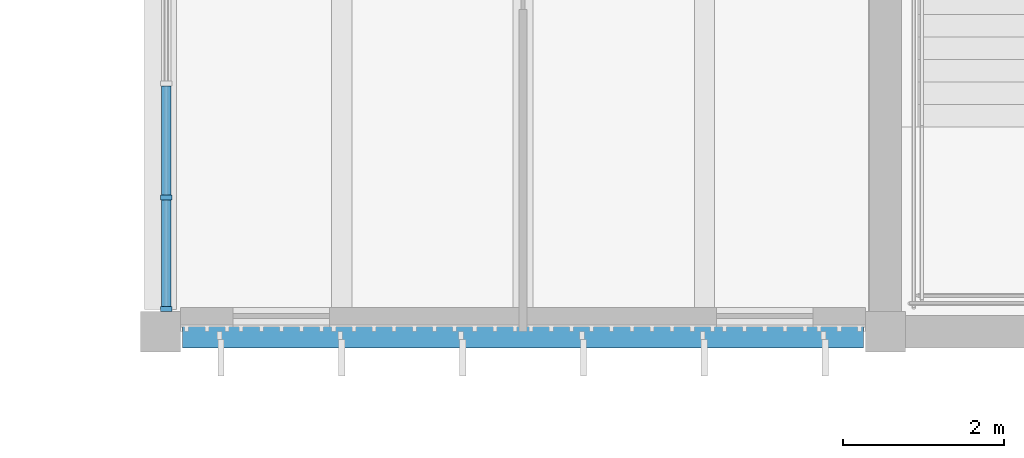
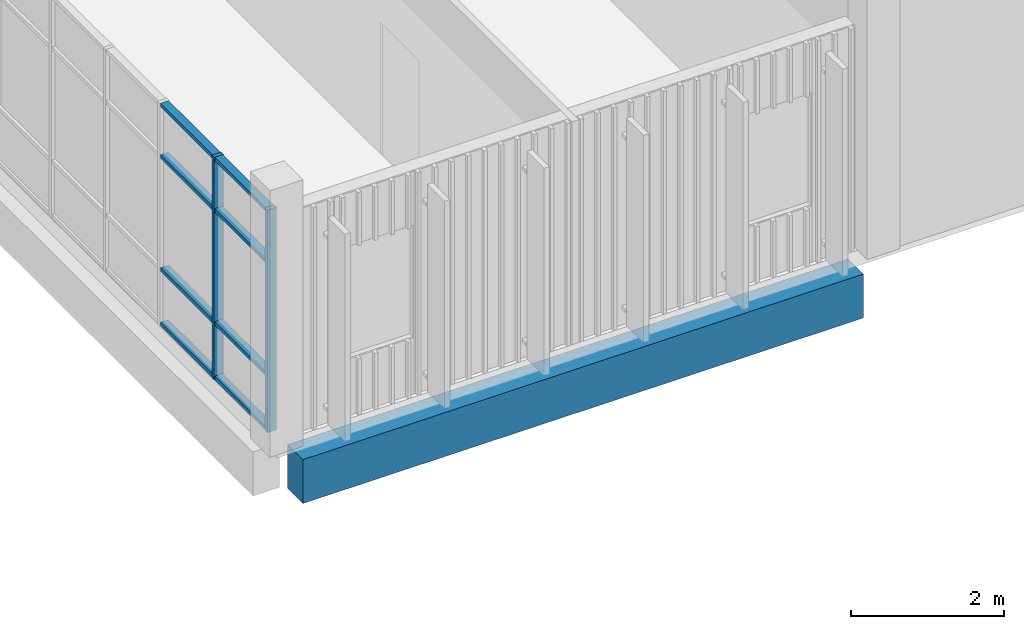
# One storey, part 9 of 92: 10 members, 1 beam, 1 element without a shape of its own.
"""IFC4 building model written with IfcOpenShell, lengths in metres."""

from ifc_helpers import new_model, si_unit, direction, frame, origin, origin_2d, place, context, subcontext, project, spatial, rectangle, extrude, material, material_profile, profile_set, type_object, element, aggregate, save


model = new_model("IFC4")

# Units and contexts
model_context = context("Model", 3, precision=1e-05, world=origin(), true_north=direction((0.0, 1.0)))
body_context = subcontext(model_context, "Body", "Model", "MODEL_VIEW")
ifc_project = project(units=[si_unit("LENGTHUNIT", "METRE"), si_unit("AREAUNIT", "SQUARE_METRE"), si_unit("VOLUMEUNIT", "CUBIC_METRE"), si_unit("PLANEANGLEUNIT", "RADIAN"), si_unit("MASSUNIT", "GRAM", prefix="KILO")], contexts=[model_context])

# Site, building, storey
site_placement = place(None, origin())
site = spatial("IfcSite", under=ifc_project, at=site_placement, CompositionType="ELEMENT")
building_placement = place(site_placement, origin())
building = spatial("IfcBuilding", under=site, at=building_placement, Name="Merrow Basin Faculty of Sciences", CompositionType="ELEMENT")
storey_placement = place(building_placement, frame((0.0, 0.0, 4.5)))
storey = spatial("IfcBuildingStorey", under=building, at=storey_placement, Name="L01", CompositionType="ELEMENT", Elevation=4.5)

# Curtain wall, members
ifc_material_1 = material(Name="Aluminium alloy 6063", Category="aluminium")
curtain_wall_type = type_object("IfcCurtainWallType", Name="Court curtain wall 140", PredefinedType="NOTDEFINED", material=ifc_material_1)
curtain_wall_placement = place(storey_placement, origin())
curtain_wall = element("IfcCurtainWall", 1, at=curtain_wall_placement, inside=storey, type_object=curtain_wall_type, Name="Court curtain wall L01 1", PredefinedType="NOTDEFINED")
ifc_material_2 = material(Name="Aluminium alloy 6063", Category="aluminium")
ifc_material_profile_1 = material_profile(ifc_material_2, rectangle(XDim=0.139892578125, YDim=0.06005859375, at=origin_2d()))
ifc_profile_set_1 = profile_set([ifc_material_profile_1], Name="Aluminium alloy 6063")
member_type_1 = type_object("IfcMemberType", Name="Aluminium mullion 60x140", PredefinedType="MULLION", material=ifc_profile_set_1)
member_1_placement = place(storey_placement, frame((54.070068359375, 61.280029296875, 0.0), z_axis=(0.0, 0.0, 1.0), x_axis=(-1.0, 0.0, 0.0)))
member_1 = element("IfcMember", 2, at=member_1_placement, type_object=member_type_1, Name="CW8 mullion 1", PredefinedType="MULLION", context=body_context, shape_type="SweptSolid", body=[
    extrude(rectangle(XDim=0.139892578125, YDim=0.06005859375, at=origin_2d()), origin(), (0.0, 0.0, 1.0), 3.550048828125),
])
member_2_placement = place(storey_placement, frame((54.070068359375, 62.666748046875, 0.0), z_axis=(0.0, 0.0, 1.0), x_axis=(-1.0, 0.0, 0.0)))
member_2 = element("IfcMember", 3, at=member_2_placement, type_object=member_type_1, Name="CW8 mullion 2", PredefinedType="MULLION", context=body_context, shape_type="SweptSolid", body=[
    extrude(rectangle(XDim=0.139892578125, YDim=0.06005859375, at=origin_2d()), origin(), (0.0, 0.0, 1.0), 3.550048828125),
])
ifc_material_3 = material(Name="Aluminium alloy 6063", Category="aluminium")
ifc_material_profile_2 = material_profile(ifc_material_3, rectangle(XDim=0.1201171875, YDim=0.06005859375, at=origin_2d()))
ifc_profile_set_2 = profile_set([ifc_material_profile_2], Name="Aluminium alloy 6063")
member_type_2 = type_object("IfcMemberType", Name="Aluminium transom 60x120", PredefinedType="USERDEFINED", material=ifc_profile_set_2)
member_3_placement = place(storey_placement, frame((54.070068359375, 61.31005859375, 0.030029296875), z_axis=(0.0, 1.0, 0.0), x_axis=(-1.0, 0.0, 0.0)))
member_3 = element("IfcMember", 4, at=member_3_placement, type_object=member_type_2, Name="CW8 transom 1.1", ObjectType="TRANSOM", PredefinedType="USERDEFINED", context=body_context, shape_type="SweptSolid", body=[
    extrude(rectangle(XDim=0.1201171875, YDim=0.06005859375, at=origin_2d()), origin(), (0.0, 0.0, 1.0), 1.32666015625),
])
member_4_placement = place(storey_placement, frame((54.070068359375, 61.31005859375, 0.89990234375), z_axis=(0.0, 1.0, 0.0), x_axis=(-1.0, 0.0, 0.0)))
member_4 = element("IfcMember", 5, at=member_4_placement, type_object=member_type_2, Name="CW8 transom 1.2", ObjectType="TRANSOM", PredefinedType="USERDEFINED", context=body_context, shape_type="SweptSolid", body=[
    extrude(rectangle(XDim=0.1201171875, YDim=0.06005859375, at=origin_2d()), origin(), (0.0, 0.0, 1.0), 1.32666015625),
])
member_5_placement = place(storey_placement, frame((54.070068359375, 61.31005859375, 2.699951171875), z_axis=(0.0, 1.0, 0.0), x_axis=(-1.0, 0.0, 0.0)))
member_5 = element("IfcMember", 6, at=member_5_placement, type_object=member_type_2, Name="CW8 transom 1.3", ObjectType="TRANSOM", PredefinedType="USERDEFINED", context=body_context, shape_type="SweptSolid", body=[
    extrude(rectangle(XDim=0.1201171875, YDim=0.06005859375, at=origin_2d()), origin(), (0.0, 0.0, 1.0), 1.32666015625),
])
member_6_placement = place(storey_placement, frame((54.070068359375, 61.31005859375, 3.52001953125), z_axis=(0.0, 1.0, 0.0), x_axis=(-1.0, 0.0, 0.0)))
member_6 = element("IfcMember", 7, at=member_6_placement, type_object=member_type_2, Name="CW8 transom 1.4", ObjectType="TRANSOM", PredefinedType="USERDEFINED", context=body_context, shape_type="SweptSolid", body=[
    extrude(rectangle(XDim=0.1201171875, YDim=0.06005859375, at=origin_2d()), origin(), (0.0, 0.0, 1.0), 1.32666015625),
])
member_7_placement = place(storey_placement, frame((54.070068359375, 62.69677734375, 0.030029296875), z_axis=(0.0, 1.0, 0.0), x_axis=(-1.0, 0.0, 0.0)))
member_7 = element("IfcMember", 8, at=member_7_placement, type_object=member_type_2, Name="CW8 transom 2.1", ObjectType="TRANSOM", PredefinedType="USERDEFINED", context=body_context, shape_type="SweptSolid", body=[
    extrude(rectangle(XDim=0.1201171875, YDim=0.06005859375, at=origin_2d()), origin(), (0.0, 0.0, 1.0), 1.3564453125),
])
member_8_placement = place(storey_placement, frame((54.070068359375, 62.69677734375, 0.89990234375), z_axis=(0.0, 1.0, 0.0), x_axis=(-1.0, 0.0, 0.0)))
member_8 = element("IfcMember", 9, at=member_8_placement, type_object=member_type_2, Name="CW8 transom 2.2", ObjectType="TRANSOM", PredefinedType="USERDEFINED", context=body_context, shape_type="SweptSolid", body=[
    extrude(rectangle(XDim=0.1201171875, YDim=0.06005859375, at=origin_2d()), origin(), (0.0, 0.0, 1.0), 1.3564453125),
])
member_9_placement = place(storey_placement, frame((54.070068359375, 62.69677734375, 2.699951171875), z_axis=(0.0, 1.0, 0.0), x_axis=(-1.0, 0.0, 0.0)))
member_9 = element("IfcMember", 10, at=member_9_placement, type_object=member_type_2, Name="CW8 transom 2.3", ObjectType="TRANSOM", PredefinedType="USERDEFINED", context=body_context, shape_type="SweptSolid", body=[
    extrude(rectangle(XDim=0.1201171875, YDim=0.06005859375, at=origin_2d()), origin(), (0.0, 0.0, 1.0), 1.3564453125),
])
member_10_placement = place(storey_placement, frame((54.070068359375, 62.69677734375, 3.52001953125), z_axis=(0.0, 1.0, 0.0), x_axis=(-1.0, 0.0, 0.0)))
member_10 = element("IfcMember", 11, at=member_10_placement, type_object=member_type_2, Name="CW8 transom 2.4", ObjectType="TRANSOM", PredefinedType="USERDEFINED", context=body_context, shape_type="SweptSolid", body=[
    extrude(rectangle(XDim=0.1201171875, YDim=0.06005859375, at=origin_2d()), origin(), (0.0, 0.0, 1.0), 1.3564453125),
])
aggregate(curtain_wall, [member_1, member_2, member_3, member_4, member_5, member_6, member_7, member_8, member_9, member_10])

# Beam
ifc_material_4 = material(Name="Concrete C40/50", Category="concrete")
ifc_material_profile_3 = material_profile(ifc_material_4, rectangle(XDim=0.39990234375, YDim=0.699951171875, at=origin_2d()))
ifc_profile_set_3 = profile_set([ifc_material_profile_3], Name="Concrete C40/50")
beam_type = type_object("IfcBeamType", Name="Beam RC400x700 C40/50", PredefinedType="BEAM", material=ifc_profile_set_3)
beam_placement = place(storey_placement, frame((54.27490234375, 61.0, -0.60009765625), z_axis=(1.0, 0.0, 0.0), x_axis=(0.0, 1.0, 0.0)))
element("IfcBeam", 12, at=beam_placement, inside=storey, type_object=beam_type, Name="B3 L01 001", PredefinedType="BEAM", context=body_context, shape_type="SweptSolid", body=[
    extrude(rectangle(XDim=0.39990234375, YDim=0.699951171875, at=origin_2d()), origin(), (0.0, 0.0, 1.0), 8.4501953125),
])

save(model, "model.ifc")
